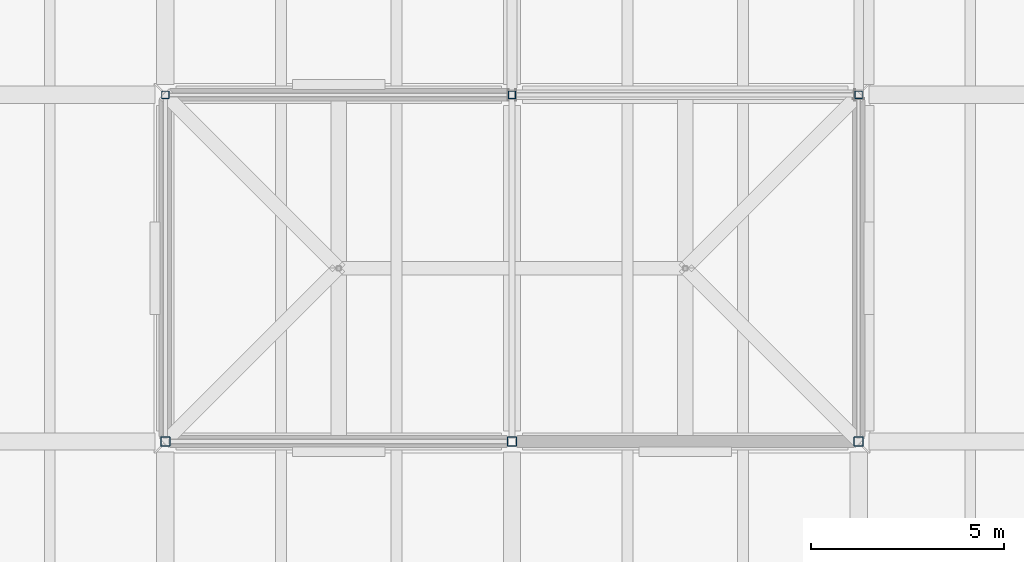
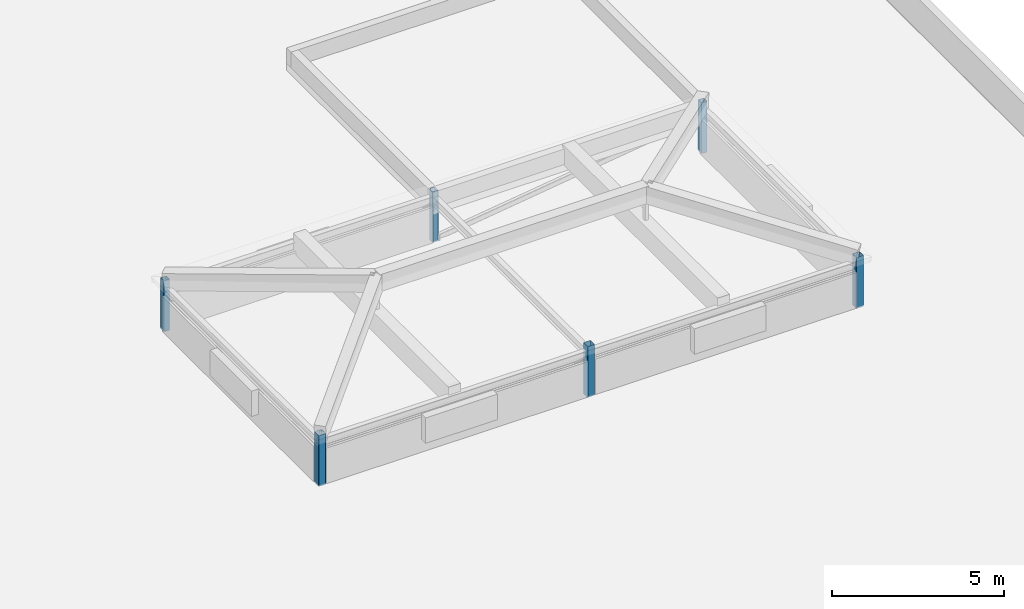
# One storey, part 1 of 56: 6 columns.
"""IFC4 building model written with IfcOpenShell, lengths in metres."""

from ifc_helpers import new_model, si_unit, direction, frame, origin, origin_2d, place, context, subcontext, project, spatial, hollow_rectangle, extrude, material, material_profile, profile_set, type_object, element, save


model = new_model("IFC4")

# Units and contexts
model_context = context("Model", 3, precision=1e-05, world=origin(), true_north=direction((0.0, 1.0)))
body_context = subcontext(model_context, "Body", "Model", "MODEL_VIEW")
ifc_project = project(units=[si_unit("LENGTHUNIT", "METRE"), si_unit("AREAUNIT", "SQUARE_METRE"), si_unit("VOLUMEUNIT", "CUBIC_METRE"), si_unit("PLANEANGLEUNIT", "RADIAN"), si_unit("MASSUNIT", "GRAM", prefix="KILO")], contexts=[model_context])

# Site, building, storey
site_placement = place(None, origin())
site = spatial("IfcSite", under=ifc_project, at=site_placement, CompositionType="ELEMENT")
building_placement = place(site_placement, origin())
building = spatial("IfcBuilding", under=site, at=building_placement, Name="Zacnel Wholesale Market", CompositionType="ELEMENT")
storey_placement = place(building_placement, frame((0.0, 0.0, 20.300048828125)))
storey = spatial("IfcBuildingStorey", under=building, at=storey_placement, Name="RF", CompositionType="ELEMENT", Elevation=20.300048828125)

# Columns
ifc_material_1 = material(Name="Steel S355", Category="steel")
ifc_material_profile_1 = material_profile(ifc_material_1, hollow_rectangle(XDim=0.199951171875, YDim=0.199951171875, WallThickness=0.010009765625, InnerFilletRadius=0.010009765625, OuterFilletRadius=0.02001953125, at=origin_2d()), Name="HSS 200x200x10")
ifc_profile_set_1 = profile_set([ifc_material_profile_1], Name="Steel S355")
column_type_1 = type_object("IfcColumnType", Name="COL-STL-HSS200", PredefinedType="COLUMN", material=ifc_profile_set_1)
for number, where, z_axis, x_axis, name in (
    (1, (45.0, 75.0, 0.0), (0.0, 0.0, 1.0), (1.0, 0.0, 0.0), "Refrigeration penthouse column 04"),
    (2, (54.0, 75.0, 0.0), (0.0, 0.0, 1.0), (1.0, 0.0, 0.0), "Refrigeration penthouse column 05"),
    (3, (63.0, 75.0, 0.0), (0.0, 0.0, 1.0), (1.0, 0.0, 0.0), "Refrigeration penthouse column 06"),
):
    element("IfcColumn", number, at=place(storey_placement, frame(where, z_axis=z_axis, x_axis=x_axis)), inside=storey, type_object=column_type_1, Name=name, PredefinedType="COLUMN", context=body_context, shape_type="SweptSolid", body=[
        extrude(hollow_rectangle(XDim=0.199951171875, YDim=0.199951171875, WallThickness=0.010009765625, InnerFilletRadius=0.010009765625, OuterFilletRadius=0.02001953125, at=origin_2d()), origin(), (0.0, 0.0, 1.0), 1.800048828125),
    ])
ifc_material_2 = material(Name="Steel S355", Category="steel")
ifc_material_profile_2 = material_profile(ifc_material_2, hollow_rectangle(XDim=0.25, YDim=0.25, WallThickness=0.012451171875, InnerFilletRadius=0.011962890625, OuterFilletRadius=0.02490234375, at=origin_2d()), Name="HSS 250x250x12.5")
ifc_profile_set_2 = profile_set([ifc_material_profile_2], Name="Steel S355")
column_type_2 = type_object("IfcColumnType", Name="COL-STL-HSS250", PredefinedType="COLUMN", material=ifc_profile_set_2)
for number, where, z_axis, x_axis, name in (
    (4, (45.0, 66.0, 0.0), (0.0, 0.0, 1.0), (1.0, 0.0, 0.0), "Refrigeration penthouse column 01"),
    (5, (54.0, 66.0, 0.0), (0.0, 0.0, 1.0), (1.0, 0.0, 0.0), "Refrigeration penthouse column 02"),
    (6, (63.0, 66.0, 0.0), (0.0, 0.0, 1.0), (1.0, 0.0, 0.0), "Refrigeration penthouse column 03"),
):
    element("IfcColumn", number, at=place(storey_placement, frame(where, z_axis=z_axis, x_axis=x_axis)), inside=storey, type_object=column_type_2, Name=name, PredefinedType="COLUMN", context=body_context, shape_type="SweptSolid", body=[
        extrude(hollow_rectangle(XDim=0.25, YDim=0.25, WallThickness=0.012451171875, InnerFilletRadius=0.011962890625, OuterFilletRadius=0.02490234375, at=origin_2d()), origin(), (0.0, 0.0, 1.0), 1.800048828125),
    ])

save(model, "model.ifc")
